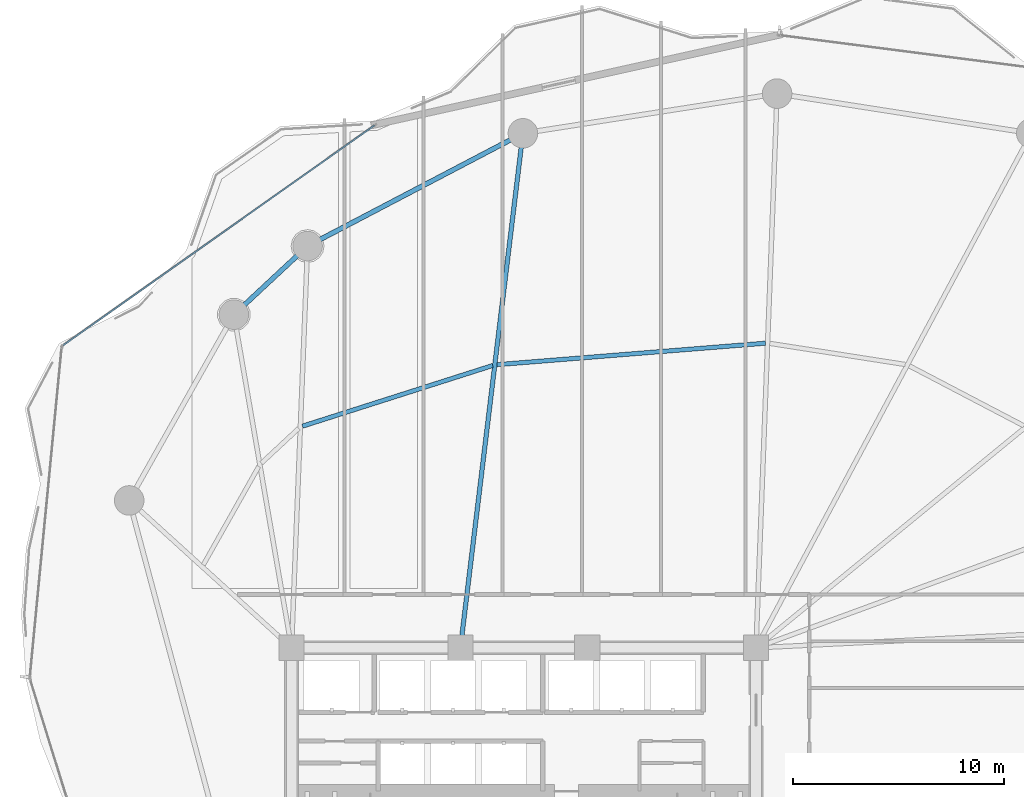
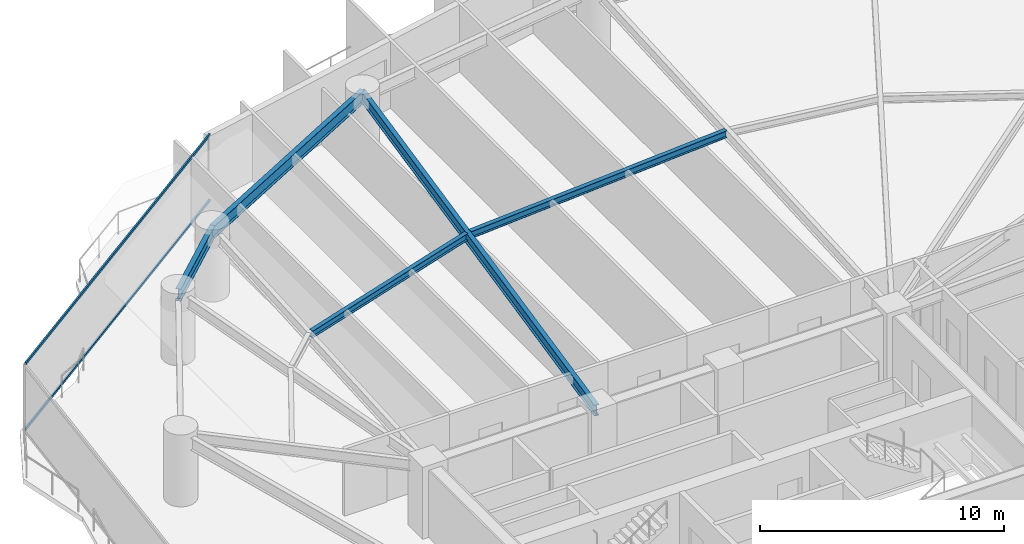
# One storey, part 16 of 32: 5 beams, 2 members, 1 element without a shape of its own.
"""IFC4 building model written with IfcOpenShell, lengths in metres."""

from ifc_helpers import new_model, si_unit, direction, frame, origin, origin_2d, place, context, subcontext, project, spatial, hollow_rectangle, i_section, extrude, material, layer, layer_set, material_profile, profile_set, type_object, element, aggregate, save


model = new_model("IFC4")

# Units and contexts
model_context = context("Model", 3, precision=1e-05, world=origin(), true_north=direction((0.0, 1.0)))
body_context = subcontext(model_context, "Body", "Model", "MODEL_VIEW")
ifc_project = project(units=[si_unit("LENGTHUNIT", "METRE"), si_unit("AREAUNIT", "SQUARE_METRE"), si_unit("VOLUMEUNIT", "CUBIC_METRE"), si_unit("PLANEANGLEUNIT", "RADIAN"), si_unit("MASSUNIT", "GRAM", prefix="KILO")], contexts=[model_context])

# Site, building, storey
site_placement = place(None, origin())
site = spatial("IfcSite", under=ifc_project, at=site_placement, CompositionType="ELEMENT")
building_placement = place(site_placement, origin())
building = spatial("IfcBuilding", under=site, at=building_placement, Name="Kazevale Care Tower and Concert Hall", CompositionType="ELEMENT")
storey_placement = place(building_placement, frame((0.0, 0.0, 42.0)))
storey = spatial("IfcBuildingStorey", under=building, at=storey_placement, Name="L10", CompositionType="ELEMENT", Elevation=42.0)

# Curtain wall, members
ifc_material_1 = material(Name="Aluminium 6063-T6 and Low-E Glass", Category="aluminium")
ifc_layer = layer(ifc_material_1, 0.179931640625)
ifc_layer_set = layer_set([ifc_layer], Name="Aluminium 6063-T6 and Low-E Glass")
curtain_wall_type = type_object("IfcCurtainWallType", Name="Convex Recessed Sunroom Curtain Wall CW-3", PredefinedType="NOTDEFINED", material=ifc_layer_set)
curtain_wall_placement = place(storey_placement, origin())
curtain_wall = element("IfcCurtainWall", 1, at=curtain_wall_placement, inside=storey, type_object=curtain_wall_type, Name="cw:L10:f14", PredefinedType="NOTDEFINED")
ifc_material_2 = material(Name="Aluminium 6063-T6", Category="aluminium")
ifc_material_profile_1 = material_profile(ifc_material_2, hollow_rectangle(XDim=0.074951171875, YDim=0.1201171875, WallThickness=0.00390625, at=origin_2d()), Name="ALU75x120x4")
ifc_profile_set_1 = profile_set([ifc_material_profile_1], Name="Aluminium 6063-T6")
member_type = type_object("IfcMemberType", Name="CW-3 Transom ALU75x120x4", PredefinedType="USERDEFINED", material=ifc_profile_set_1)
member_1_placement = place(storey_placement, frame((11.182373046875, 50.729248046875, 0.03759765625), z_axis=(0.816794743967, 0.576928371835, 0.0), x_axis=(-0.576928371835, 0.816794743967, 0.0)))
member_1 = element("IfcMember", 2, at=member_1_placement, type_object=member_type, Name="CW-3 transom 1.1", ObjectType="TRANSOM", PredefinedType="USERDEFINED", context=body_context, shape_type="SweptSolid", body=[
    extrude(hollow_rectangle(XDim=0.074951171875, YDim=0.1201171875, WallThickness=0.00390625, at=origin_2d()), origin(), (0.0, 0.0, 1.0), 18.060302734375),
])
member_2_placement = place(storey_placement, frame((11.182373046875, 50.729248046875, 3.322509765625), z_axis=(0.816794743967, 0.576928371835, 0.0), x_axis=(-0.576928371835, 0.816794743967, 0.0)))
member_2 = element("IfcMember", 3, at=member_2_placement, type_object=member_type, Name="CW-3 transom 1.2", ObjectType="TRANSOM", PredefinedType="USERDEFINED", context=body_context, shape_type="SweptSolid", body=[
    extrude(hollow_rectangle(XDim=0.074951171875, YDim=0.1201171875, WallThickness=0.00390625, at=origin_2d()), origin(), (0.0, 0.0, 1.0), 18.060302734375),
])
aggregate(curtain_wall, [member_1, member_2])

# Beams
ifc_material_3 = material(Name="Steel ASTM A572 Gr 50", Category="steel")
ifc_material_profile_2 = material_profile(ifc_material_3, i_section(OverallWidth=0.2119140625, OverallDepth=0.5439453125, WebThickness=0.01318359375, FlangeThickness=0.021240234375, at=origin_2d()), Name="W530x123")
ifc_profile_set_2 = profile_set([ifc_material_profile_2], Name="Steel ASTM A572 Gr 50")
beam_type_1 = type_object("IfcBeamType", Name="Radial Floor Girder W530x123", PredefinedType="BEAM", material=ifc_profile_set_2)
beam_1_placement = place(storey_placement, frame((30.0, 36.39990234375, 3.087890625), z_axis=(0.120572526662, 0.9927045209, 0.0), x_axis=(-0.9927045209, 0.120572526662, 0.0)))
element("IfcBeam", 4, at=beam_1_placement, inside=storey, type_object=beam_type_1, Name="beam:L10:rad:06", PredefinedType="BEAM", context=body_context, shape_type="SweptSolid", body=[
    extrude(i_section(OverallWidth=0.2119140625, OverallDepth=0.5439453125, WebThickness=0.01318359375, FlangeThickness=0.021240234375, at=origin_2d()), origin(), (0.0, 0.0, 1.0), 24.54931640625),
])
ifc_material_profile_3 = material_profile(ifc_material_3, i_section(OverallWidth=0.22900390625, OverallDepth=0.612060546875, WebThickness=0.011962890625, FlangeThickness=0.01953125, at=origin_2d()), Name="W610x125")
ifc_profile_set_3 = profile_set([ifc_material_profile_3], Name="Steel ASTM A572 Gr 50")
beam_type_2 = type_object("IfcBeamType", Name="Ring Spandrel Beam W610x125", PredefinedType="SPANDREL", material=ifc_profile_set_3)
beam_2_placement = place(storey_placement, frame((32.9599609375, 60.77001953125, 3.053955078125), z_axis=(-0.885929466679, -0.463819986708, 0.0), x_axis=(0.463819986708, -0.885929466679, 0.0)))
element("IfcBeam", 5, at=beam_2_placement, inside=storey, type_object=beam_type_2, Name="beam:L10:ring:06", PredefinedType="SPANDREL", context=body_context, shape_type="SweptSolid", body=[
    extrude(i_section(OverallWidth=0.22900390625, OverallDepth=0.612060546875, WebThickness=0.011962890625, FlangeThickness=0.01953125, at=origin_2d()), origin(), (0.0, 0.0, 1.0), 11.51318359375),
])
beam_3_placement = place(storey_placement, frame((22.760009765625, 55.429931640625, 3.053955078125), z_axis=(-0.731820896228, -0.681497010884, 0.0), x_axis=(0.681497010884, -0.731820896228, 0.0)))
element("IfcBeam", 6, at=beam_3_placement, inside=storey, type_object=beam_type_2, Name="beam:L10:ring:07", PredefinedType="SPANDREL", context=body_context, shape_type="SweptSolid", body=[
    extrude(i_section(OverallWidth=0.22900390625, OverallDepth=0.612060546875, WebThickness=0.011962890625, FlangeThickness=0.01953125, at=origin_2d()), origin(), (0.0, 0.0, 1.0), 4.768798828125),
])
ifc_material_profile_4 = material_profile(ifc_material_3, i_section(OverallWidth=0.205078125, OverallDepth=0.35400390625, WebThickness=0.009521484375, FlangeThickness=0.016845703125, at=origin_2d()), Name="W360x79")
ifc_profile_set_4 = profile_set([ifc_material_profile_4], Name="Steel ASTM A572 Gr 50")
beam_type_3 = type_object("IfcBeamType", Name="Secondary Floor Joist W360x79", PredefinedType="JOIST", material=ifc_profile_set_4)
beam_4_placement = place(storey_placement, frame((44.445068359375, 50.8291015625, 3.18310546875), z_axis=(-0.996814548036, -0.079754353015, 0.0), x_axis=(0.079754353015, -0.996814548036, 0.0)))
element("IfcBeam", 7, at=beam_4_placement, inside=storey, type_object=beam_type_3, Name="beam:L10:joist:05", PredefinedType="JOIST", context=body_context, shape_type="SweptSolid", body=[
    extrude(i_section(OverallWidth=0.205078125, OverallDepth=0.35400390625, WebThickness=0.009521484375, FlangeThickness=0.016845703125, at=origin_2d()), origin(), (0.0, 0.0, 1.0), 12.752685546875),
])
beam_5_placement = place(storey_placement, frame((31.528076171875, 49.77197265625, 3.18310546875), z_axis=(-0.9527054955, -0.303895111584, 0.0), x_axis=(0.303895111584, -0.9527054955, 0.0)))
element("IfcBeam", 8, at=beam_5_placement, inside=storey, type_object=beam_type_3, Name="beam:L10:joist:06", PredefinedType="JOIST", context=body_context, shape_type="SweptSolid", body=[
    extrude(i_section(OverallWidth=0.205078125, OverallDepth=0.35400390625, WebThickness=0.009521484375, FlangeThickness=0.016845703125, at=origin_2d()), origin(), (0.0, 0.0, 1.0), 9.457275390625),
])

save(model, "model.ifc")
